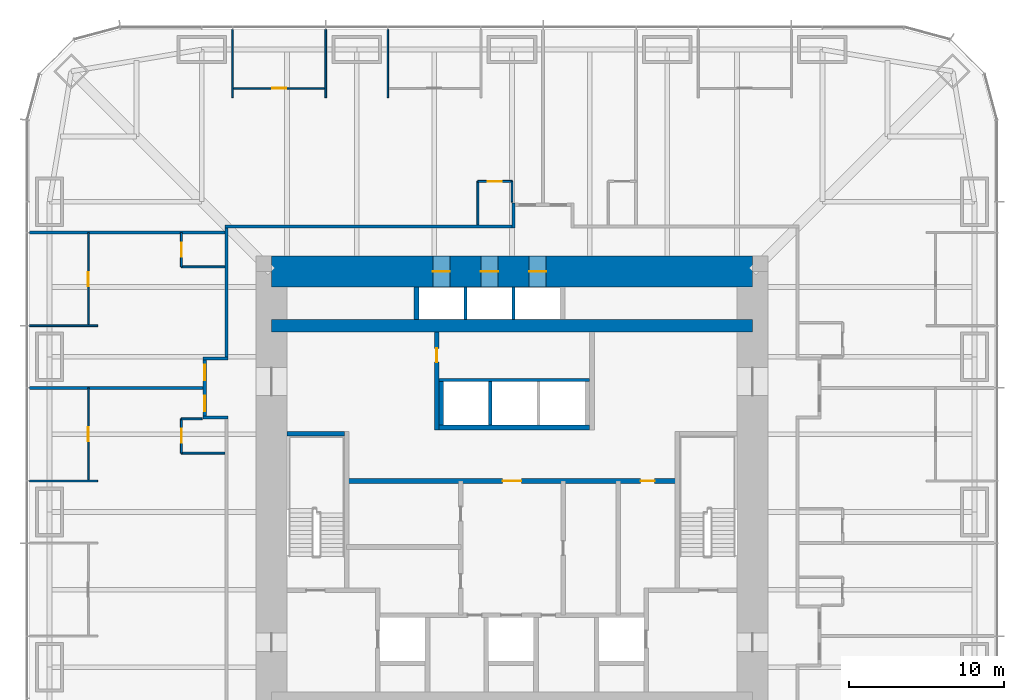
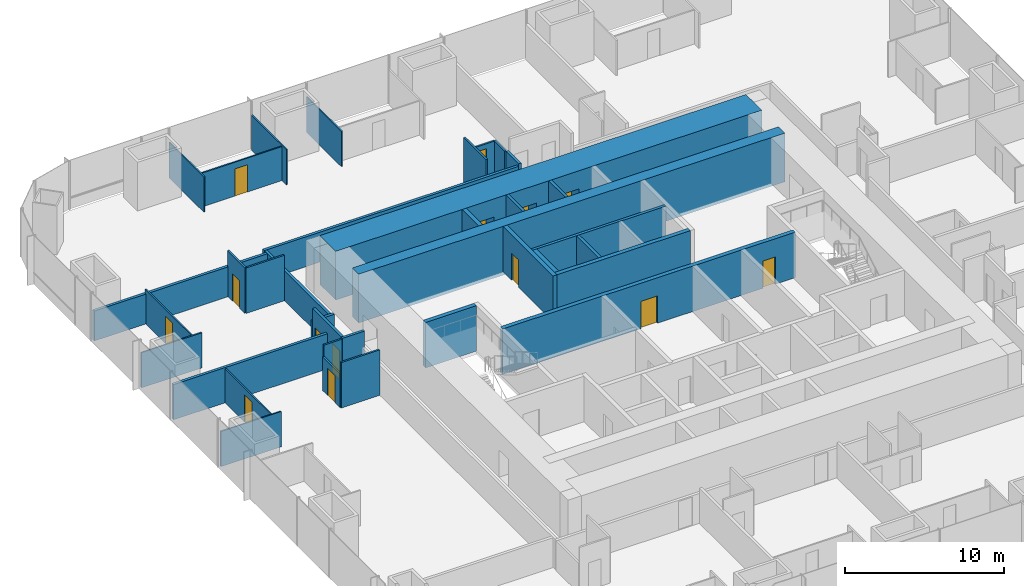
# One storey, part 14 of 16: 36 walls, 14 doors, 14 openings.
"""IFC4 building model written with IfcOpenShell, lengths in metres."""

from ifc_helpers import new_model, si_unit, direction, frame, frame_2d, origin, place, context, subcontext, project, spatial, rectangle, extrude, material, layer, layer_set, type_object, element, fill, save


model = new_model("IFC4")

# Units and contexts
model_context = context("Model", 3, precision=1e-05, world=origin(), true_north=direction((0.0, 1.0)))
body_context = subcontext(model_context, "Body", "Model", "MODEL_VIEW")
ifc_project = project(units=[si_unit("LENGTHUNIT", "METRE"), si_unit("AREAUNIT", "SQUARE_METRE"), si_unit("VOLUMEUNIT", "CUBIC_METRE"), si_unit("PLANEANGLEUNIT", "RADIAN"), si_unit("MASSUNIT", "GRAM", prefix="KILO")], contexts=[model_context])

# Site, building, storey
site_placement = place(None, origin())
site = spatial("IfcSite", under=ifc_project, at=site_placement, CompositionType="ELEMENT")
building_placement = place(site_placement, origin())
building = spatial("IfcBuilding", under=site, at=building_placement, Name="Khuree Lantern Residences", CompositionType="ELEMENT")
storey_placement = place(building_placement, frame((0.0, 0.0, 81.0)))
storey = spatial("IfcBuildingStorey", under=building, at=storey_placement, Name="L20", CompositionType="ELEMENT", Elevation=81.0)

# Wall, opening, door
ifc_material_1 = material(Name="Moisture-resistant gypsum board on steel studs", Category="steel")
ifc_layer_1 = layer(ifc_material_1, 0.125)
ifc_layer_set_1 = layer_set([ifc_layer_1], Name="BATHROOM WALL BTW125")
wall_type_1 = type_object("IfcWallType", Name="BATHROOM WALL BTW125", PredefinedType="PARTITIONING", material=ifc_layer_set_1)
wall_1_placement = place(storey_placement, frame((0.0, 21.300048828125, 0.0), z_axis=(0.0, 0.0, 1.0), x_axis=(-1.0, 0.0, 0.0)))
wall_1 = element("IfcWall", 1, at=wall_1_placement, inside=storey, type_object=wall_type_1, Name="L20 BATHROOM WALL 05", PredefinedType="PARTITIONING", context=body_context, shape_type="SweptSolid", body=[
    extrude(rectangle(XDim=2.199951171875, YDim=0.125, at=frame_2d((1.10009765625, 0.0))), origin(), (0.0, 0.0, 1.0), 2.491943359375),
])
opening_1_placement = place(wall_1_placement, frame((0.64990234375, 0.0, 0.0)))
opening_1 = element("IfcOpeningElement", 2, at=opening_1_placement, cuts=wall_1, Name="Opening 20-034", PredefinedType="OPENING", context=body_context, shape_type="SweptSolid", body=[
    extrude(rectangle(XDim=0.89990234375, YDim=2.10009765625, at=frame_2d((0.449951171875, 1.050048828125))), frame((0.0, 0.072509765625, 0.0), z_axis=(0.0, -1.0, 0.0), x_axis=(1.0, 0.0, 0.0)), (0.0, 0.0, 1.0), 0.14501953125),
])
ifc_material_2 = material(Name="Timber door leaf in hardwood frame", Category="wood")
door_type_1 = type_object("IfcDoorType", Name="BATHROOM DOOR 900X2100", OperationType="SINGLE_SWING_LEFT", PredefinedType="DOOR", material=ifc_material_2)
door_1_placement = place(opening_1_placement, origin())
door_1 = element("IfcDoor", 3, at=door_1_placement, inside=storey, type_object=door_type_1, Name="Bathroom door 20-034", OperationType="SINGLE_SWING_LEFT", OverallHeight=2.10009765625, OverallWidth=0.89990234375, PredefinedType="DOOR", context=body_context, shape_type="SweptSolid", body=[
    extrude(rectangle(XDim=0.89990234375, YDim=2.10009765625, at=frame_2d((0.449951171875, 1.050048828125))), frame((0.0, 0.02490234375, 0.0), z_axis=(0.0, -1.0, 0.0), x_axis=(1.0, 0.0, 0.0)), (0.0, 0.0, 1.0), 0.050048828125),
])
fill(opening_1, door_1)

# Walls
wall_2_placement = place(storey_placement, frame((0.0, 19.969970703125, 0.0), z_axis=(0.0, 0.0, 1.0), x_axis=(0.0, 1.0, 0.0)))
element("IfcWall", 4, at=wall_2_placement, inside=storey, type_object=wall_type_1, Name="L20 BATHROOM WALL 05", PredefinedType="PARTITIONING", context=body_context, shape_type="SweptSolid", body=[
    extrude(rectangle(XDim=1.330078125, YDim=0.125, at=frame_2d((0.6650390625, 0.0))), origin(), (0.0, 0.0, 1.0), 2.491943359375),
])
wall_3_placement = place(storey_placement, frame((-2.199951171875, 18.5, 0.0), z_axis=(0.0, 0.0, 1.0), x_axis=(0.0, 1.0, 0.0)))
element("IfcWall", 5, at=wall_3_placement, inside=storey, type_object=wall_type_1, Name="L20 BATHROOM WALL 05", PredefinedType="PARTITIONING", context=body_context, shape_type="SweptSolid", body=[
    extrude(rectangle(XDim=2.800048828125, YDim=0.125, at=frame_2d((1.39990234375, 0.0))), origin(), (0.0, 0.0, 1.0), 3.5),
])

# Wall, opening, door
wall_4_placement = place(storey_placement, frame((-21.300048828125, 18.0, 0.0), z_axis=(0.0, 0.0, 1.0), x_axis=(0.0, -1.0, 0.0)))
wall_4 = element("IfcWall", 6, at=wall_4_placement, inside=storey, type_object=wall_type_1, Name="L20 BATHROOM WALL 06", PredefinedType="PARTITIONING", context=body_context, shape_type="SweptSolid", body=[
    extrude(rectangle(XDim=2.199951171875, YDim=0.125, at=frame_2d((1.10009765625, 0.0))), origin(), (0.0, 0.0, 1.0), 3.5),
])
opening_2_placement = place(wall_4_placement, frame((0.64990234375, 0.0, 0.0)))
opening_2 = element("IfcOpeningElement", 7, at=opening_2_placement, cuts=wall_4, Name="Opening 20-037", PredefinedType="OPENING", context=body_context, shape_type="SweptSolid", body=[
    extrude(rectangle(XDim=0.89990234375, YDim=2.10009765625, at=frame_2d((0.449951171875, 1.050048828125))), frame((0.0, 0.072509765625, 0.0), z_axis=(0.0, -1.0, 0.0), x_axis=(1.0, 0.0, 0.0)), (0.0, 0.0, 1.0), 0.14501953125),
])
door_2_placement = place(opening_2_placement, origin())
door_2 = element("IfcDoor", 8, at=door_2_placement, inside=storey, type_object=door_type_1, Name="Bathroom door 20-037", OperationType="SINGLE_SWING_LEFT", OverallHeight=2.10009765625, OverallWidth=0.89990234375, PredefinedType="DOOR", context=body_context, shape_type="SweptSolid", body=[
    extrude(rectangle(XDim=0.89990234375, YDim=2.10009765625, at=frame_2d((0.449951171875, 1.050048828125))), frame((0.0, 0.02490234375, 0.0), z_axis=(0.0, -1.0, 0.0), x_axis=(1.0, 0.0, 0.0)), (0.0, 0.0, 1.0), 0.050048828125),
])
fill(opening_2, door_2)

# Wall
wall_5_placement = place(storey_placement, frame((-18.5, 15.800048828125, 0.0), z_axis=(0.0, 0.0, 1.0), x_axis=(-1.0, 0.0, 0.0)))
element("IfcWall", 9, at=wall_5_placement, inside=storey, type_object=wall_type_1, Name="L20 BATHROOM WALL 06", PredefinedType="PARTITIONING", context=body_context, shape_type="SweptSolid", body=[
    extrude(rectangle(XDim=2.800048828125, YDim=0.125, at=frame_2d((1.39990234375, 0.0))), origin(), (0.0, 0.0, 1.0), 3.5),
])

# Wall, opening, door
wall_6_placement = place(storey_placement, frame((-21.300048828125, 6.0, 0.0), z_axis=(0.0, 0.0, 1.0), x_axis=(0.0, -1.0, 0.0)))
wall_6 = element("IfcWall", 10, at=wall_6_placement, inside=storey, type_object=wall_type_1, Name="L20 BATHROOM WALL 07", PredefinedType="PARTITIONING", context=body_context, shape_type="SweptSolid", body=[
    extrude(rectangle(XDim=2.199951171875, YDim=0.125, at=frame_2d((1.10009765625, 0.0))), origin(), (0.0, 0.0, 1.0), 2.610107421875),
])
opening_3_placement = place(wall_6_placement, frame((0.64990234375, 0.0, 0.0)))
opening_3 = element("IfcOpeningElement", 11, at=opening_3_placement, cuts=wall_6, Name="Opening 20-041", PredefinedType="OPENING", context=body_context, shape_type="SweptSolid", body=[
    extrude(rectangle(XDim=0.89990234375, YDim=2.10009765625, at=frame_2d((0.449951171875, 1.050048828125))), frame((0.0, 0.072509765625, 0.0), z_axis=(0.0, -1.0, 0.0), x_axis=(1.0, 0.0, 0.0)), (0.0, 0.0, 1.0), 0.14501953125),
])
door_3_placement = place(opening_3_placement, origin())
door_3 = element("IfcDoor", 12, at=door_3_placement, inside=storey, type_object=door_type_1, Name="Bathroom door 20-041", OperationType="SINGLE_SWING_LEFT", OverallHeight=2.10009765625, OverallWidth=0.89990234375, PredefinedType="DOOR", context=body_context, shape_type="SweptSolid", body=[
    extrude(rectangle(XDim=0.89990234375, YDim=2.10009765625, at=frame_2d((0.449951171875, 1.050048828125))), frame((0.0, 0.02490234375, 0.0), z_axis=(0.0, -1.0, 0.0), x_axis=(1.0, 0.0, 0.0)), (0.0, 0.0, 1.0), 0.050048828125),
])
fill(opening_3, door_3)

# Walls
wall_7_placement = place(storey_placement, frame((-19.969970703125, 6.0, 0.0), z_axis=(0.0, 0.0, 1.0), x_axis=(-1.0, 0.0, 0.0)))
element("IfcWall", 13, at=wall_7_placement, inside=storey, type_object=wall_type_1, Name="L20 BATHROOM WALL 07", PredefinedType="PARTITIONING", context=body_context, shape_type="SweptSolid", body=[
    extrude(rectangle(XDim=1.330078125, YDim=0.125, at=frame_2d((0.6650390625, 0.0))), origin(), (0.0, 0.0, 1.0), 3.5),
])
wall_8_placement = place(storey_placement, frame((-18.5, 3.800048828125, 0.0), z_axis=(0.0, 0.0, 1.0), x_axis=(-1.0, 0.0, 0.0)))
element("IfcWall", 14, at=wall_8_placement, inside=storey, type_object=wall_type_1, Name="L20 BATHROOM WALL 07", PredefinedType="PARTITIONING", context=body_context, shape_type="SweptSolid", body=[
    extrude(rectangle(XDim=2.800048828125, YDim=0.125, at=frame_2d((1.39990234375, 0.0))), origin(), (0.0, 0.0, 1.0), 3.5),
])
ifc_material_3 = material(Name="Dense concrete blockwork", Category="masonry")
ifc_layer_2 = layer(ifc_material_3, 0.300048828125)
ifc_layer_set_2 = layer_set([ifc_layer_2], Name="CORE PARTITION WALL CPW300 EI 120")
wall_type_2 = type_object("IfcWallType", Name="CORE PARTITION WALL CPW300 EI 120", PredefinedType="PARTITIONING", material=ifc_layer_set_2)
wall_9_placement = place(storey_placement, frame((-4.699951171875, 5.449951171875, 0.0), z_axis=(0.0, 0.0, 1.0), x_axis=(1.0, 0.0, 0.0)))
element("IfcWall", 15, at=wall_9_placement, inside=storey, type_object=wall_type_2, Name="L20 CORE WALL PHS", PredefinedType="PARTITIONING", context=body_context, shape_type="SweptSolid", body=[
    extrude(rectangle(XDim=9.699951171875, YDim=0.300048828125, at=frame_2d((4.85009765625, 0.0))), origin(), (0.0, 0.0, 1.0), 3.5),
])
wall_10_placement = place(storey_placement, frame((-4.550048828125, 5.60009765625, 0.0), z_axis=(0.0, 0.0, 1.0), x_axis=(0.0, 1.0, 0.0)))
element("IfcWall", 16, at=wall_10_placement, inside=storey, type_object=wall_type_2, Name="L20 CORE WALL PHW", PredefinedType="PARTITIONING", context=body_context, shape_type="SweptSolid", body=[
    extrude(rectangle(XDim=2.7998046875, YDim=0.300048828125, at=frame_2d((1.39990234375, 0.0))), origin(), (0.0, 0.0, 1.0), 3.5),
])
wall_11_placement = place(storey_placement, frame((-6.14990234375, 12.39990234375, 0.0), z_axis=(0.0, 0.0, 1.0), x_axis=(0.0, 1.0, 0.0)))
element("IfcWall", 17, at=wall_11_placement, inside=storey, type_object=wall_type_2, Name="L20 CORE WALL PLW", PredefinedType="PARTITIONING", context=body_context, shape_type="SweptSolid", body=[
    extrude(rectangle(XDim=2.10009765625, YDim=0.300048828125, at=frame_2d((1.050048828125, 0.0))), origin(), (0.0, 0.0, 1.0), 3.5),
])

# Wall, openings, doors
wall_12_placement = place(storey_placement, frame((-10.64990234375, 2.0, 0.0), z_axis=(0.0, 0.0, 1.0), x_axis=(1.0, 0.0, 0.0)))
wall_12 = element("IfcWall", 18, at=wall_12_placement, inside=storey, type_object=wall_type_2, Name="L20 CORE WALL LLS", PredefinedType="PARTITIONING", context=body_context, shape_type="SweptSolid", body=[
    extrude(rectangle(XDim=21.2998046875, YDim=0.300048828125, at=frame_2d((10.64990234375, 0.0))), origin(), (0.0, 0.0, 1.0), 3.5),
])
opening_4_placement = place(wall_12_placement, frame((10.050048828125, 0.0, 0.0)))
opening_4 = element("IfcOpeningElement", 19, at=opening_4_placement, cuts=wall_12, Name="Opening 20-013", PredefinedType="OPENING", context=body_context, shape_type="SweptSolid", body=[
    extrude(rectangle(XDim=1.199951171875, YDim=2.10009765625, at=frame_2d((0.60009765625, 1.050048828125))), frame((0.0, 0.16015625, 0.0), z_axis=(0.0, -1.0, 0.0), x_axis=(1.0, 0.0, 0.0)), (0.0, 0.0, 1.0), 0.320068359375),
])
opening_5_placement = place(wall_12_placement, frame((18.94189453125, 0.0, 0.0)))
opening_5 = element("IfcOpeningElement", 20, at=opening_5_placement, cuts=wall_12, Name="Opening 20-019", PredefinedType="OPENING", context=body_context, shape_type="SweptSolid", body=[
    extrude(rectangle(XDim=0.89990234375, YDim=2.10009765625, at=frame_2d((0.449951171875, 1.050048828125))), frame((0.0, 0.16015625, 0.0), z_axis=(0.0, -1.0, 0.0), x_axis=(1.0, 0.0, 0.0)), (0.0, 0.0, 1.0), 0.320068359375),
])
ifc_material_4 = material(Name="Steel door leaf in steel frame", Category="steel")
door_type_2 = type_object("IfcDoorType", Name="DOOR 1200X2100 EI 60", OperationType="SINGLE_SWING_LEFT", PredefinedType="DOOR", material=ifc_material_4)
door_4_placement = place(opening_4_placement, origin())
door_4 = element("IfcDoor", 21, at=door_4_placement, inside=storey, type_object=door_type_2, Name="Service lift lobby door 20-013", OperationType="SINGLE_SWING_LEFT", OverallHeight=2.10009765625, OverallWidth=1.199951171875, PredefinedType="DOOR", context=body_context, shape_type="SweptSolid", body=[
    extrude(rectangle(XDim=1.199951171875, YDim=2.10009765625, at=frame_2d((0.60009765625, 1.050048828125))), frame((0.0, 0.02490234375, 0.0), z_axis=(0.0, -1.0, 0.0), x_axis=(1.0, 0.0, 0.0)), (0.0, 0.0, 1.0), 0.050048828125),
])
fill(opening_4, door_4)
door_type_3 = type_object("IfcDoorType", Name="DOOR 900X2100 RIGHT HAND", OperationType="SINGLE_SWING_RIGHT", PredefinedType="DOOR", material=ifc_material_2)
door_5_placement = place(opening_5_placement, origin())
door_5 = element("IfcDoor", 22, at=door_5_placement, inside=storey, type_object=door_type_3, Name="Residents' store door 20-019", OperationType="SINGLE_SWING_RIGHT", OverallHeight=2.10009765625, OverallWidth=0.89990234375, PredefinedType="DOOR", context=body_context, shape_type="SweptSolid", body=[
    extrude(rectangle(XDim=0.89990234375, YDim=2.10009765625, at=frame_2d((0.449951171875, 1.050048828125))), frame((0.0, 0.02490234375, 0.0), z_axis=(0.0, -1.0, 0.0), x_axis=(1.0, 0.0, 0.0)), (0.0, 0.0, 1.0), 0.050048828125),
])
fill(opening_5, door_5)

# Wall, opening, door
wall_13_placement = place(storey_placement, frame((-4.85009765625, 5.300048828125, 0.0), z_axis=(0.0, 0.0, 1.0), x_axis=(0.0, 1.0, 0.0)))
wall_13 = element("IfcWall", 23, at=wall_13_placement, inside=storey, type_object=wall_type_2, Name="L20 CORE WALL NW", PredefinedType="PARTITIONING", context=body_context, shape_type="SweptSolid", body=[
    extrude(rectangle(XDim=6.300048828125, YDim=0.300048828125, at=frame_2d((3.14990234375, 0.0))), origin(), (0.0, 0.0, 1.0), 3.5),
])
opening_6_placement = place(wall_13_placement, frame((4.35009765625, 0.0, 0.0)))
opening_6 = element("IfcOpeningElement", 24, at=opening_6_placement, cuts=wall_13, Name="Opening 20-020", PredefinedType="OPENING", context=body_context, shape_type="SweptSolid", body=[
    extrude(rectangle(XDim=0.89990234375, YDim=2.10009765625, at=frame_2d((0.449951171875, 1.050048828125))), frame((0.0, 0.16015625, 0.0), z_axis=(0.0, -1.0, 0.0), x_axis=(1.0, 0.0, 0.0)), (0.0, 0.0, 1.0), 0.320068359375),
])
door_6_placement = place(opening_6_placement, origin())
door_6 = element("IfcDoor", 25, at=door_6_placement, inside=storey, type_object=door_type_3, Name="Residents' store door 20-020", OperationType="SINGLE_SWING_RIGHT", OverallHeight=2.10009765625, OverallWidth=0.89990234375, PredefinedType="DOOR", context=body_context, shape_type="SweptSolid", body=[
    extrude(rectangle(XDim=0.89990234375, YDim=2.10009765625, at=frame_2d((0.449951171875, 1.050048828125))), frame((0.0, 0.02490234375, 0.0), z_axis=(0.0, -1.0, 0.0), x_axis=(1.0, 0.0, 0.0)), (0.0, 0.0, 1.0), 0.050048828125),
])
fill(opening_6, door_6)

# Walls
ifc_material_5 = material(Name="Gypsum board on steel studs", Category="steel")
ifc_layer_3 = layer(ifc_material_5, 0.199951171875)
ifc_layer_set_3 = layer_set([ifc_layer_3], Name="CORRIDOR WALL CRW200 EI 60")
wall_type_3 = type_object("IfcWallType", Name="CORRIDOR WALL CRW200 EI 60", PredefinedType="PARTITIONING", material=ifc_layer_set_3)
wall_14_placement = place(storey_placement, frame((-18.5, 18.39990234375, 0.0), z_axis=(0.0, 0.0, 1.0), x_axis=(1.0, 0.0, 0.0)))
element("IfcWall", 26, at=wall_14_placement, inside=storey, type_object=wall_type_3, Name="L20 CORRIDOR WALL NORTH 1", PredefinedType="PARTITIONING", context=body_context, shape_type="SweptSolid", body=[
    extrude(rectangle(XDim=18.5, YDim=0.199951171875, at=frame_2d((9.25, 0.0))), origin(), (0.0, 0.0, 1.0), 2.300048828125),
])
wall_15_placement = place(storey_placement, frame((0.10009765625, 18.300048828125, 0.0), z_axis=(0.0, 0.0, 1.0), x_axis=(0.0, 1.0, 0.0)))
element("IfcWall", 27, at=wall_15_placement, inside=storey, type_object=wall_type_3, Name="L20 CORRIDOR ALCOVE WALL NORTH", PredefinedType="PARTITIONING", context=body_context, shape_type="SweptSolid", body=[
    extrude(rectangle(XDim=1.599853515625, YDim=0.199951171875, at=frame_2d((0.7998046875, 0.0))), origin(), (0.0, 0.0, 1.0), 2.491943359375),
])
wall_16_placement = place(storey_placement, frame((-18.39990234375, 18.300048828125, 0.0), z_axis=(0.0, 0.0, 1.0), x_axis=(0.0, -1.0, 0.0)))
element("IfcWall", 28, at=wall_16_placement, inside=storey, type_object=wall_type_3, Name="L20 CORRIDOR WALL WEST 1", PredefinedType="PARTITIONING", context=body_context, shape_type="SweptSolid", body=[
    extrude(rectangle(XDim=8.300048828125, YDim=0.199951171875, at=frame_2d((4.14990234375, 0.0))), origin(), (0.0, 0.0, 1.0), 2.300048828125),
])
wall_17_placement = place(storey_placement, frame((-18.300048828125, 9.89990234375, 0.0), z_axis=(0.0, 0.0, 1.0), x_axis=(-1.0, 0.0, 0.0)))
element("IfcWall", 29, at=wall_17_placement, inside=storey, type_object=wall_type_3, Name="L20 CORRIDOR ALCOVE WALL WEST", PredefinedType="PARTITIONING", context=body_context, shape_type="SweptSolid", body=[
    extrude(rectangle(XDim=1.599853515625, YDim=0.199951171875, at=frame_2d((0.7998046875, 0.0))), origin(), (0.0, 0.0, 1.0), 2.491943359375),
])
wall_18_placement = place(storey_placement, frame((-18.300048828125, 6.10009765625, 0.0), z_axis=(0.0, 0.0, 1.0), x_axis=(-1.0, 0.0, 0.0)))
element("IfcWall", 30, at=wall_18_placement, inside=storey, type_object=wall_type_3, Name="L20 CORRIDOR ALCOVE WALL WEST", PredefinedType="PARTITIONING", context=body_context, shape_type="SweptSolid", body=[
    extrude(rectangle(XDim=1.599853515625, YDim=0.199951171875, at=frame_2d((0.7998046875, 0.0))), origin(), (0.0, 0.0, 1.0), 3.5),
])

# Wall, openings, doors
wall_19_placement = place(storey_placement, frame((-19.800048828125, 9.800048828125, 0.0), z_axis=(0.0, 0.0, 1.0), x_axis=(0.0, -1.0, 0.0)))
wall_19 = element("IfcWall", 31, at=wall_19_placement, inside=storey, type_object=wall_type_3, Name="L20 CORRIDOR ALCOVE WALL WEST", PredefinedType="PARTITIONING", context=body_context, shape_type="SweptSolid", body=[
    extrude(rectangle(XDim=3.60009765625, YDim=0.199951171875, at=frame_2d((1.800048828125, 0.0))), origin(), (0.0, 0.0, 1.0), 3.5),
])
opening_7_placement = place(wall_19_placement, frame((0.300048828125, 0.0, 0.0)))
opening_7 = element("IfcOpeningElement", 32, at=opening_7_placement, cuts=wall_19, Name="Opening 20-038", PredefinedType="OPENING", context=body_context, shape_type="SweptSolid", body=[
    extrude(rectangle(XDim=1.0, YDim=2.199951171875, at=frame_2d((0.5, 1.10009765625))), frame((0.0, 0.10986328125, 0.0), z_axis=(0.0, -1.0, 0.0), x_axis=(1.0, 0.0, 0.0)), (0.0, 0.0, 1.0), 0.219970703125),
])
opening_8_placement = place(wall_19_placement, frame((2.300048828125, 0.0, 0.0)))
opening_8 = element("IfcOpeningElement", 33, at=opening_8_placement, cuts=wall_19, Name="Opening 20-042", PredefinedType="OPENING", context=body_context, shape_type="SweptSolid", body=[
    extrude(rectangle(XDim=1.0, YDim=2.199951171875, at=frame_2d((0.5, 1.10009765625))), frame((0.0, 0.10986328125, 0.0), z_axis=(0.0, -1.0, 0.0), x_axis=(1.0, 0.0, 0.0)), (0.0, 0.0, 1.0), 0.219970703125),
])
door_type_4 = type_object("IfcDoorType", Name="APARTMENT ENTRANCE DOOR 1000X2200 EI 30S", OperationType="SINGLE_SWING_LEFT", PredefinedType="DOOR", material=ifc_material_2)
door_7_placement = place(opening_7_placement, origin())
door_7 = element("IfcDoor", 34, at=door_7_placement, inside=storey, type_object=door_type_4, Name="Apartment 06 entrance door 20-038", OperationType="SINGLE_SWING_LEFT", OverallHeight=2.199951171875, OverallWidth=1.0, PredefinedType="DOOR", context=body_context, shape_type="SweptSolid", body=[
    extrude(rectangle(XDim=1.0, YDim=2.199951171875, at=frame_2d((0.5, 1.10009765625))), frame((0.0, 0.02490234375, 0.0), z_axis=(0.0, -1.0, 0.0), x_axis=(1.0, 0.0, 0.0)), (0.0, 0.0, 1.0), 0.050048828125),
])
fill(opening_7, door_7)
door_type_5 = type_object("IfcDoorType", Name="APARTMENT ENTRANCE DOOR 1000X2200 EI 30S RIGHT HAND", OperationType="SINGLE_SWING_RIGHT", PredefinedType="DOOR", material=ifc_material_2)
door_8_placement = place(opening_8_placement, origin())
door_8 = element("IfcDoor", 35, at=door_8_placement, inside=storey, type_object=door_type_5, Name="Apartment 07 entrance door 20-042", OperationType="SINGLE_SWING_RIGHT", OverallHeight=2.199951171875, OverallWidth=1.0, PredefinedType="DOOR", context=body_context, shape_type="SweptSolid", body=[
    extrude(rectangle(XDim=1.0, YDim=2.199951171875, at=frame_2d((0.5, 1.10009765625))), frame((0.0, 0.02490234375, 0.0), z_axis=(0.0, -1.0, 0.0), x_axis=(1.0, 0.0, 0.0)), (0.0, 0.0, 1.0), 0.050048828125),
])
fill(opening_8, door_8)

ifc_material_6 = material(Name="Concrete C70/85", Category="concrete")
ifc_layer_4 = layer(ifc_material_6, 2.0)
ifc_layer_set_4 = layer_set([ifc_layer_4], Name="CW2000-C70 CORE WALL C70 2000")
wall_type_4 = type_object("IfcWallType", Name="CW2000-C70 CORE WALL C70 2000", PredefinedType="SHEAR", material=ifc_layer_set_4)
wall_20_placement = place(storey_placement, frame((-15.5, 15.5, -0.25), z_axis=(0.0, 0.0, 1.0), x_axis=(1.0, 0.0, 0.0)))
wall_20 = element("IfcWall", 36, at=wall_20_placement, inside=storey, type_object=wall_type_4, Name="Core wall N", PredefinedType="SHEAR", context=body_context, shape_type="SweptSolid", body=[
    extrude(rectangle(XDim=31.0, YDim=2.0, at=frame_2d((15.5, 0.0))), origin(), (0.0, 0.0, 1.0), 3.75),
])
opening_9_placement = place(wall_20_placement, frame((10.39990234375, 0.0, 0.25)))
opening_9 = element("IfcOpeningElement", 37, at=opening_9_placement, cuts=wall_20, Name="Opening 20-009", PredefinedType="OPENING", context=body_context, shape_type="SweptSolid", body=[
    extrude(rectangle(XDim=1.10009765625, YDim=2.10009765625, at=frame_2d((0.550048828125, 1.050048828125))), frame((0.0, 1.010009765625, 0.0), z_axis=(0.0, -1.0, 0.0), x_axis=(1.0, 0.0, 0.0)), (0.0, 0.0, 1.0), 2.02001953125),
])
opening_10_placement = place(wall_20_placement, frame((13.5, 0.0, 0.25)))
opening_10 = element("IfcOpeningElement", 38, at=opening_10_placement, cuts=wall_20, Name="Opening 20-010", PredefinedType="OPENING", context=body_context, shape_type="SweptSolid", body=[
    extrude(rectangle(XDim=1.10009765625, YDim=2.10009765625, at=frame_2d((0.550048828125, 1.050048828125))), frame((0.0, 1.010009765625, 0.0), z_axis=(0.0, -1.0, 0.0), x_axis=(1.0, 0.0, 0.0)), (0.0, 0.0, 1.0), 2.02001953125),
])
opening_11_placement = place(wall_20_placement, frame((16.60009765625, 0.0, 0.25)))
opening_11 = element("IfcOpeningElement", 39, at=opening_11_placement, cuts=wall_20, Name="Opening 20-011", PredefinedType="OPENING", context=body_context, shape_type="SweptSolid", body=[
    extrude(rectangle(XDim=1.10009765625, YDim=2.10009765625, at=frame_2d((0.550048828125, 1.050048828125))), frame((0.0, 1.010009765625, 0.0), z_axis=(0.0, -1.0, 0.0), x_axis=(1.0, 0.0, 0.0)), (0.0, 0.0, 1.0), 2.02001953125),
])
ifc_material_7 = material(Name="Stainless steel lift landing door", Category="steel")
door_type_6 = type_object("IfcDoorType", Name="LIFT LANDING DOOR 1100X2100 E 60", OperationType="DOUBLE_DOOR_SLIDING", PredefinedType="DOOR", material=ifc_material_7)
door_9_placement = place(opening_9_placement, origin())
door_9 = element("IfcDoor", 40, at=door_9_placement, inside=storey, type_object=door_type_6, Name="Landing door PL1 20-009", OperationType="DOUBLE_DOOR_SLIDING", OverallHeight=2.10009765625, OverallWidth=1.10009765625, PredefinedType="DOOR", context=body_context, shape_type="SweptSolid", body=[
    extrude(rectangle(XDim=1.10009765625, YDim=2.10009765625, at=frame_2d((0.550048828125, 1.050048828125))), frame((0.0, 0.02490234375, 0.0), z_axis=(0.0, -1.0, 0.0), x_axis=(1.0, 0.0, 0.0)), (0.0, 0.0, 1.0), 0.050048828125),
])
fill(opening_9, door_9)
door_10_placement = place(opening_10_placement, origin())
door_10 = element("IfcDoor", 41, at=door_10_placement, inside=storey, type_object=door_type_6, Name="Landing door PL2 20-010", OperationType="DOUBLE_DOOR_SLIDING", OverallHeight=2.10009765625, OverallWidth=1.10009765625, PredefinedType="DOOR", context=body_context, shape_type="SweptSolid", body=[
    extrude(rectangle(XDim=1.10009765625, YDim=2.10009765625, at=frame_2d((0.550048828125, 1.050048828125))), frame((0.0, 0.02490234375, 0.0), z_axis=(0.0, -1.0, 0.0), x_axis=(1.0, 0.0, 0.0)), (0.0, 0.0, 1.0), 0.050048828125),
])
fill(opening_10, door_10)
door_11_placement = place(opening_11_placement, origin())
door_11 = element("IfcDoor", 42, at=door_11_placement, inside=storey, type_object=door_type_6, Name="Landing door PL3 20-011", OperationType="DOUBLE_DOOR_SLIDING", OverallHeight=2.10009765625, OverallWidth=1.10009765625, PredefinedType="DOOR", context=body_context, shape_type="SweptSolid", body=[
    extrude(rectangle(XDim=1.10009765625, YDim=2.10009765625, at=frame_2d((0.550048828125, 1.050048828125))), frame((0.0, 0.02490234375, 0.0), z_axis=(0.0, -1.0, 0.0), x_axis=(1.0, 0.0, 0.0)), (0.0, 0.0, 1.0), 0.050048828125),
])
fill(opening_11, door_11)

# Walls
ifc_layer_5 = layer(ifc_material_5, 0.199951171875)
ifc_layer_set_5 = layer_set([ifc_layer_5], Name="DEMISING WALL DMW200 EI 90")
wall_type_5 = type_object("IfcWallType", Name="DEMISING WALL DMW200 EI 90", PredefinedType="PARTITIONING", material=ifc_layer_set_5)
wall_21_placement = place(storey_placement, frame((-18.5, 18.0, 0.0), z_axis=(0.0, 0.0, 1.0), x_axis=(-1.0, 0.0, 0.0)))
element("IfcWall", 43, at=wall_21_placement, inside=storey, type_object=wall_type_5, Name="L20 DEMISING WALL 06", PredefinedType="PARTITIONING", context=body_context, shape_type="SweptSolid", body=[
    extrude(rectangle(XDim=12.60009765625, YDim=0.199951171875, at=frame_2d((6.300048828125, 0.0))), origin(), (0.0, 0.0, 1.0), 2.300048828125),
])
wall_22_placement = place(storey_placement, frame((-19.89990234375, 8.0, 0.0), z_axis=(0.0, 0.0, 1.0), x_axis=(-1.0, 0.0, 0.0)))
element("IfcWall", 44, at=wall_22_placement, inside=storey, type_object=wall_type_5, Name="L20 DEMISING WALL 07", PredefinedType="PARTITIONING", context=body_context, shape_type="SweptSolid", body=[
    extrude(rectangle(XDim=11.2001953125, YDim=0.199951171875, at=frame_2d((5.60009765625, 0.0))), origin(), (0.0, 0.0, 1.0), 2.7099609375),
])
ifc_layer_6 = layer(ifc_material_5, 0.10009765625)
ifc_layer_set_6 = layer_set([ifc_layer_6], Name="PARTITION PT100")
wall_type_6 = type_object("IfcWallType", Name="PARTITION PT100", PredefinedType="PARTITIONING", material=ifc_layer_set_6)
for number, where, z_axis, x_axis, name in (
    (45, (-8.0, 26.699951171875, 0.0), (0.0, 0.0, 1.0), (0.0, 1.0, 0.0), "L20 PARTITION 05"),
    (46, (-12.0, 26.699951171875, 0.0), (0.0, 0.0, 1.0), (0.0, 1.0, 0.0), "L20 PARTITION 05"),
    (47, (-18.0, 26.699951171875, 0.0), (0.0, 0.0, 1.0), (0.0, 1.0, 0.0), "L20 PARTITION 05"),
    (48, (-26.699951171875, 12.0, 0.0), (0.0, 0.0, 1.0), (-1.0, 0.0, 0.0), "L20 PARTITION 06"),
    (49, (-26.699951171875, 2.0, 0.0), (0.0, 0.0, 1.0), (-1.0, 0.0, 0.0), "L20 PARTITION 07"),
):
    element("IfcWall", number, at=place(storey_placement, frame(where, z_axis=z_axis, x_axis=x_axis)), inside=storey, type_object=wall_type_6, Name=name, PredefinedType="PARTITIONING", context=body_context, shape_type="SweptSolid", body=[
        extrude(rectangle(XDim=4.400146484375, YDim=0.10009765625, at=frame_2d((2.2001953125, 0.0))), origin(), (0.0, 0.0, 1.0), 2.7099609375),
    ])

# Wall, opening, door
wall_23_placement = place(storey_placement, frame((-12.0, 27.300048828125, 0.0), z_axis=(0.0, 0.0, 1.0), x_axis=(-1.0, 0.0, 0.0)))
wall_23 = element("IfcWall", 50, at=wall_23_placement, inside=storey, type_object=wall_type_6, Name="L20 PARTITION 05", PredefinedType="PARTITIONING", context=body_context, shape_type="SweptSolid", body=[
    extrude(rectangle(XDim=6.0, YDim=0.10009765625, at=frame_2d((3.0, 0.0))), origin(), (0.0, 0.0, 1.0), 2.610107421875),
])
opening_12_placement = place(wall_23_placement, frame((2.550048828125, 0.0, 0.0)))
opening_12 = element("IfcOpeningElement", 51, at=opening_12_placement, cuts=wall_23, Name="Opening 20-033", PredefinedType="OPENING", context=body_context, shape_type="SweptSolid", body=[
    extrude(rectangle(XDim=0.89990234375, YDim=2.10009765625, at=frame_2d((0.449951171875, 1.050048828125))), frame((0.0, 0.06005859375, 0.0), z_axis=(0.0, -1.0, 0.0), x_axis=(1.0, 0.0, 0.0)), (0.0, 0.0, 1.0), 0.1201171875),
])
door_type_7 = type_object("IfcDoorType", Name="BEDROOM DOOR 900X2100", OperationType="SINGLE_SWING_LEFT", PredefinedType="DOOR", material=ifc_material_2)
door_12_placement = place(opening_12_placement, origin())
door_12 = element("IfcDoor", 52, at=door_12_placement, inside=storey, type_object=door_type_7, Name="Bedroom door 20-033", OperationType="SINGLE_SWING_LEFT", OverallHeight=2.10009765625, OverallWidth=0.89990234375, PredefinedType="DOOR", context=body_context, shape_type="SweptSolid", body=[
    extrude(rectangle(XDim=0.89990234375, YDim=2.10009765625, at=frame_2d((0.449951171875, 1.050048828125))), frame((0.0, 0.02490234375, 0.0), z_axis=(0.0, -1.0, 0.0), x_axis=(1.0, 0.0, 0.0)), (0.0, 0.0, 1.0), 0.050048828125),
])
fill(opening_12, door_12)

wall_24_placement = place(storey_placement, frame((-27.300048828125, 18.0, 0.0), z_axis=(0.0, 0.0, 1.0), x_axis=(0.0, -1.0, 0.0)))
wall_24 = element("IfcWall", 53, at=wall_24_placement, inside=storey, type_object=wall_type_6, Name="L20 PARTITION 06", PredefinedType="PARTITIONING", context=body_context, shape_type="SweptSolid", body=[
    extrude(rectangle(XDim=6.0, YDim=0.10009765625, at=frame_2d((3.0, 0.0))), origin(), (0.0, 0.0, 1.0), 2.610107421875),
])
opening_13_placement = place(wall_24_placement, frame((2.550048828125, 0.0, 0.0)))
opening_13 = element("IfcOpeningElement", 54, at=opening_13_placement, cuts=wall_24, Name="Opening 20-036", PredefinedType="OPENING", context=body_context, shape_type="SweptSolid", body=[
    extrude(rectangle(XDim=0.89990234375, YDim=2.10009765625, at=frame_2d((0.449951171875, 1.050048828125))), frame((0.0, 0.06005859375, 0.0), z_axis=(0.0, -1.0, 0.0), x_axis=(1.0, 0.0, 0.0)), (0.0, 0.0, 1.0), 0.1201171875),
])
door_13_placement = place(opening_13_placement, origin())
door_13 = element("IfcDoor", 55, at=door_13_placement, inside=storey, type_object=door_type_7, Name="Bedroom door 20-036", OperationType="SINGLE_SWING_LEFT", OverallHeight=2.10009765625, OverallWidth=0.89990234375, PredefinedType="DOOR", context=body_context, shape_type="SweptSolid", body=[
    extrude(rectangle(XDim=0.89990234375, YDim=2.10009765625, at=frame_2d((0.449951171875, 1.050048828125))), frame((0.0, 0.02490234375, 0.0), z_axis=(0.0, -1.0, 0.0), x_axis=(1.0, 0.0, 0.0)), (0.0, 0.0, 1.0), 0.050048828125),
])
fill(opening_13, door_13)

wall_25_placement = place(storey_placement, frame((-27.300048828125, 8.0, 0.0), z_axis=(0.0, 0.0, 1.0), x_axis=(0.0, -1.0, 0.0)))
wall_25 = element("IfcWall", 56, at=wall_25_placement, inside=storey, type_object=wall_type_6, Name="L20 PARTITION 07", PredefinedType="PARTITIONING", context=body_context, shape_type="SweptSolid", body=[
    extrude(rectangle(XDim=6.0, YDim=0.10009765625, at=frame_2d((3.0, 0.0))), origin(), (0.0, 0.0, 1.0), 2.610107421875),
])
opening_14_placement = place(wall_25_placement, frame((2.550048828125, 0.0, 0.0)))
opening_14 = element("IfcOpeningElement", 57, at=opening_14_placement, cuts=wall_25, Name="Opening 20-039", PredefinedType="OPENING", context=body_context, shape_type="SweptSolid", body=[
    extrude(rectangle(XDim=0.89990234375, YDim=2.10009765625, at=frame_2d((0.449951171875, 1.050048828125))), frame((0.0, 0.06005859375, 0.0), z_axis=(0.0, -1.0, 0.0), x_axis=(1.0, 0.0, 0.0)), (0.0, 0.0, 1.0), 0.1201171875),
])
door_14_placement = place(opening_14_placement, origin())
door_14 = element("IfcDoor", 58, at=door_14_placement, inside=storey, type_object=door_type_7, Name="Bedroom door 20-039", OperationType="SINGLE_SWING_LEFT", OverallHeight=2.10009765625, OverallWidth=0.89990234375, PredefinedType="DOOR", context=body_context, shape_type="SweptSolid", body=[
    extrude(rectangle(XDim=0.89990234375, YDim=2.10009765625, at=frame_2d((0.449951171875, 1.050048828125))), frame((0.0, 0.02490234375, 0.0), z_axis=(0.0, -1.0, 0.0), x_axis=(1.0, 0.0, 0.0)), (0.0, 0.0, 1.0), 0.050048828125),
])
fill(opening_14, door_14)

# Walls
ifc_layer_7 = layer(ifc_material_3, 0.199951171875)
ifc_layer_set_7 = layer_set([ifc_layer_7], Name="SHAFT WALL SHW200 EI 120")
wall_type_7 = type_object("IfcWallType", Name="SHAFT WALL SHW200 EI 120", PredefinedType="PARTITIONING", material=ifc_layer_set_7)
wall_26_placement = place(storey_placement, frame((-4.699951171875, 8.5, 0.0), z_axis=(0.0, 0.0, 1.0), x_axis=(1.0, 0.0, 0.0)))
element("IfcWall", 59, at=wall_26_placement, inside=storey, type_object=wall_type_7, Name="L20 CORE WALL PHN", PredefinedType="PARTITIONING", context=body_context, shape_type="SweptSolid", body=[
    extrude(rectangle(XDim=9.699951171875, YDim=0.199951171875, at=frame_2d((4.85009765625, 0.0))), origin(), (0.0, 0.0, 1.0), 3.5),
])
wall_27_placement = place(storey_placement, frame((-1.39990234375, 5.60009765625, 0.0), z_axis=(0.0, 0.0, 1.0), x_axis=(0.0, 1.0, 0.0)))
element("IfcWall", 60, at=wall_27_placement, inside=storey, type_object=wall_type_7, Name="L20 CORE WALL PHD1", PredefinedType="PARTITIONING", context=body_context, shape_type="SweptSolid", body=[
    extrude(rectangle(XDim=2.7998046875, YDim=0.199951171875, at=frame_2d((1.39990234375, 0.0))), origin(), (0.0, 0.0, 1.0), 3.5),
])
for number, where, z_axis, x_axis, name in (
    (61, (-3.0, 12.39990234375, 0.0), (0.0, 0.0, 1.0), (0.0, 1.0, 0.0), "L20 CORE WALL PLD1"),
    (62, (0.10009765625, 12.39990234375, 0.0), (0.0, 0.0, 1.0), (0.0, 1.0, 0.0), "L20 CORE WALL PLD2"),
):
    element("IfcWall", number, at=place(storey_placement, frame(where, z_axis=z_axis, x_axis=x_axis)), inside=storey, type_object=wall_type_7, Name=name, PredefinedType="PARTITIONING", context=body_context, shape_type="SweptSolid", body=[
        extrude(rectangle(XDim=2.10009765625, YDim=0.199951171875, at=frame_2d((1.050048828125, 0.0))), origin(), (0.0, 0.0, 1.0), 3.5),
    ])
ifc_layer_8 = layer(ifc_material_6, 0.800048828125)
ifc_layer_set_8 = layer_set([ifc_layer_8], Name="SP800-C70 CORE SPINE WALL C70 800")
wall_type_8 = type_object("IfcWallType", Name="SP800-C70 CORE SPINE WALL C70 800", PredefinedType="SHEAR", material=ifc_layer_set_8)
wall_28_placement = place(storey_placement, frame((-15.5, 12.0, -0.25), z_axis=(0.0, 0.0, 1.0), x_axis=(1.0, 0.0, 0.0)))
element("IfcWall", 63, at=wall_28_placement, inside=storey, type_object=wall_type_8, Name="Core wall SPN", PredefinedType="SHEAR", context=body_context, shape_type="SweptSolid", body=[
    extrude(rectangle(XDim=31.0, YDim=0.800048828125, at=frame_2d((15.5, 0.0))), origin(), (0.0, 0.0, 1.0), 3.75),
])
ifc_material_8 = material(Name="Concrete C50/60", Category="concrete")
ifc_layer_9 = layer(ifc_material_8, 0.300048828125)
ifc_layer_set_9 = layer_set([ifc_layer_9], Name="STAIR WALL SRW300 C50/60 REI 240")
wall_type_9 = type_object("IfcWallType", Name="STAIR WALL SRW300 C50/60 REI 240", PredefinedType="SOLIDWALL", material=ifc_layer_set_9)
wall_29_placement = place(storey_placement, frame((-14.5, 5.050048828125, 0.0), z_axis=(0.0, 0.0, 1.0), x_axis=(1.0, 0.0, 0.0)))
element("IfcWall", 64, at=wall_29_placement, inside=storey, type_object=wall_type_9, Name="L20 STAIR WALL ST1N", PredefinedType="SOLIDWALL", context=body_context, shape_type="SweptSolid", body=[
    extrude(rectangle(XDim=3.699951171875, YDim=0.300048828125, at=frame_2d((1.85009765625, 0.0))), origin(), (0.0, 0.0, 1.0), 3.5),
])

save(model, "model.ifc")
